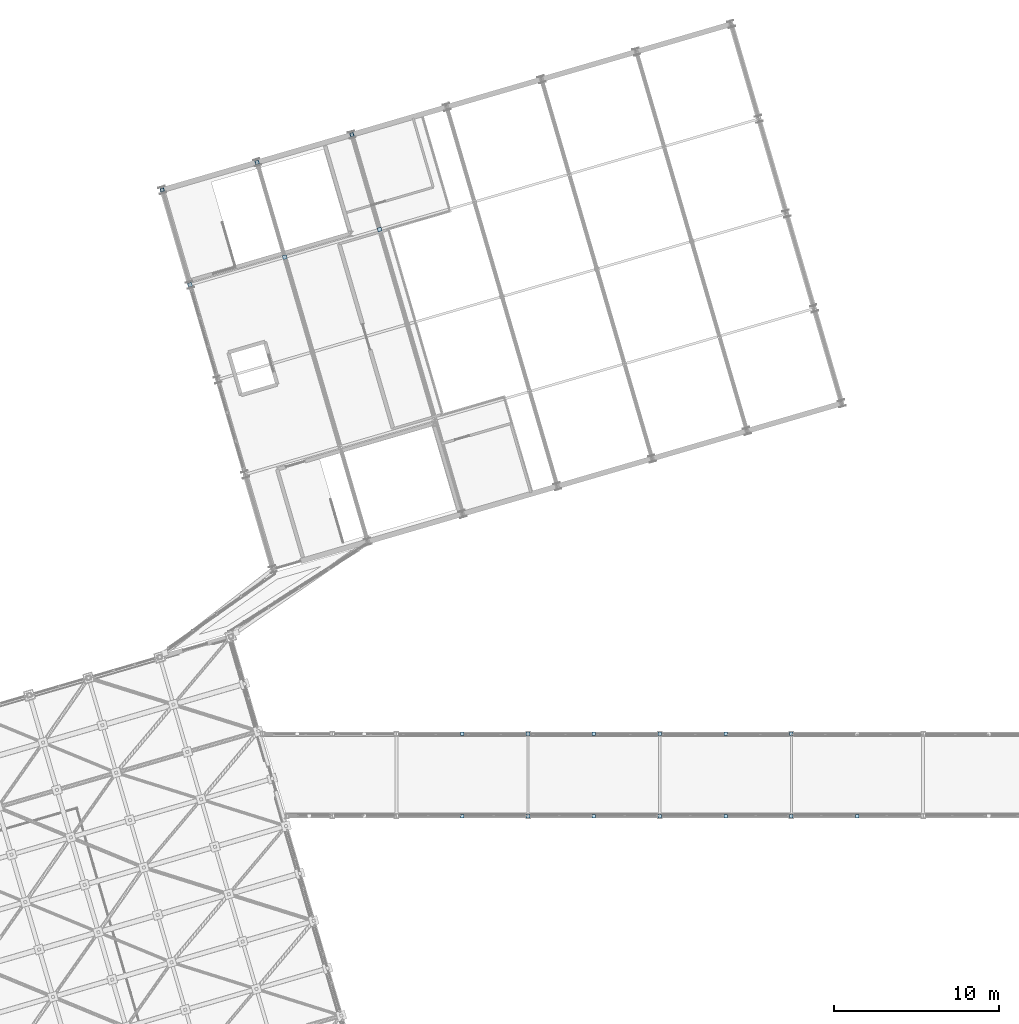
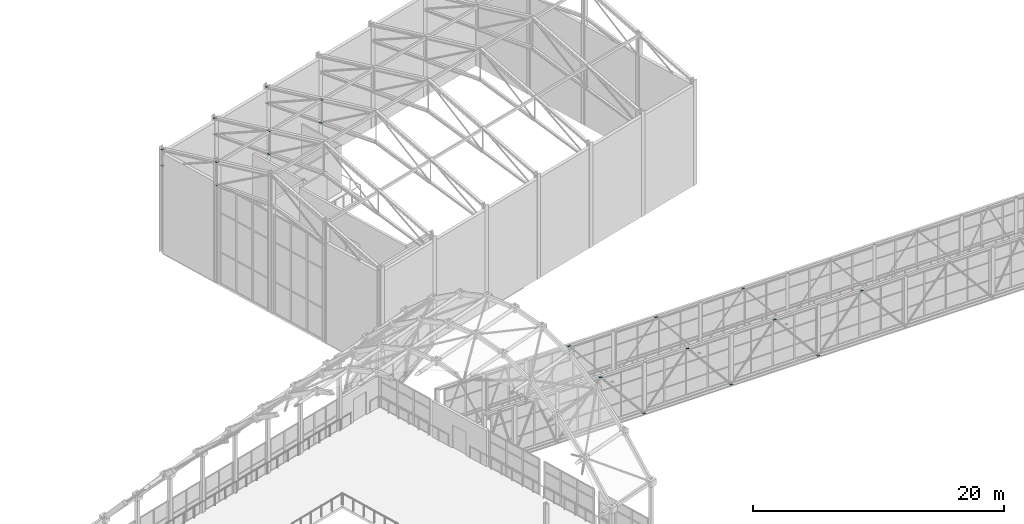
# One storey, part 218 of 248: 25 plates.
"""IFC4 building model written with IfcOpenShell, lengths in metres."""

from ifc_helpers import new_model, si_unit, direction, frame, origin, origin_2d, place, context, subcontext, project, spatial, rectangle, extrude, material, layer, layer_set, type_object, element, save


model = new_model("IFC4")

# Units and contexts
model_context = context("Model", 3, precision=1e-05, world=origin(), true_north=direction((0.0, 1.0)))
body_context = subcontext(model_context, "Body", "Model", "MODEL_VIEW")
ifc_project = project(units=[si_unit("LENGTHUNIT", "METRE"), si_unit("AREAUNIT", "SQUARE_METRE"), si_unit("VOLUMEUNIT", "CUBIC_METRE"), si_unit("PLANEANGLEUNIT", "RADIAN"), si_unit("MASSUNIT", "GRAM", prefix="KILO")], contexts=[model_context])

# Site, building, storey
site_placement = place(None, origin())
site = spatial("IfcSite", under=ifc_project, at=site_placement, CompositionType="ELEMENT")
building_placement = place(site_placement, origin())
building = spatial("IfcBuilding", under=site, at=building_placement, Name="Canggui Botanical Conservatory", CompositionType="ELEMENT")
storey_placement = place(building_placement, frame((0.0, 0.0, 5.39990234375)))
storey = spatial("IfcBuildingStorey", under=building, at=storey_placement, Name="L02", CompositionType="ELEMENT", Elevation=5.39990234375)

# Plates
ifc_material = material(Name="Steel Q355B", Category="steel")
ifc_layer = layer(ifc_material, 0.02001953125, Name="Steel Q355B", Category="steel")
ifc_layer_set = layer_set([ifc_layer], Name="Steel Q355B")
plate_type = type_object("IfcPlateType", Name="PLT-CAP-20", PredefinedType="USERDEFINED", material=ifc_layer_set)
for number, where, z_axis, x_axis, name in (
    (1, (60.9599609375, 107.280029296875, 9.39013671875), (0.0, 0.0, 1.0), (0.960000000041, 0.279999999861, 0.0), "CP-AT-01-WB3-0"),
    (2, (59.280029296875, 113.0400390625, 8.39013671875), (0.0, 0.0, 1.0), (0.960000000041, 0.279999999861, 0.0), "CP-AT-01-WB4-0"),
    (3, (60.9599609375, 107.280029296875, 11.64013671875), (0.0, 0.0, 1.0), (0.960000000041, 0.279999999861, 0.0), "CP-AT-01-WB4-1"),
):
    element("IfcPlate", number, at=place(storey_placement, frame(where, z_axis=z_axis, x_axis=x_axis)), inside=storey, type_object=plate_type, Name=name, ObjectType="END CAP PLATE", PredefinedType="USERDEFINED", context=body_context, shape_type="SweptSolid", body=[
        extrude(rectangle(XDim=0.239990234375, YDim=0.239990234375, at=origin_2d()), origin(), (0.0, 0.0, 1.0), 0.02001953125),
    ])
plate_1_placement = place(storey_placement, frame((59.280029296875, 113.0400390625, 9.940185546875), z_axis=(0.0, 0.0, 1.0), x_axis=(0.960000000041, 0.279999999861, 0.0)))
element("IfcPlate", 4, at=plate_1_placement, inside=storey, type_object=plate_type, Name="CP-AT-01-VT5-1", ObjectType="END CAP PLATE", PredefinedType="USERDEFINED", context=body_context, shape_type="SweptSolid", body=[
    extrude(rectangle(XDim=0.199951171875, YDim=0.199951171875, at=origin_2d()), origin(), (0.0, 0.0, 1.0), 0.02001953125),
])
for number, where, z_axis, x_axis, name in (
    (5, (66.719970703125, 108.9599609375, 9.39013671875), (0.0, 0.0, 1.0), (0.960000000041, 0.279999999861, 0.0), "CP-AT-02-WB3-0"),
    (6, (65.0400390625, 114.719970703125, 8.39013671875), (0.0, 0.0, 1.0), (0.960000000041, 0.279999999861, 0.0), "CP-AT-02-WB4-0"),
    (7, (66.719970703125, 108.9599609375, 11.64013671875), (0.0, 0.0, 1.0), (0.960000000041, 0.279999999861, 0.0), "CP-AT-02-WB4-1"),
):
    element("IfcPlate", number, at=place(storey_placement, frame(where, z_axis=z_axis, x_axis=x_axis)), inside=storey, type_object=plate_type, Name=name, ObjectType="END CAP PLATE", PredefinedType="USERDEFINED", context=body_context, shape_type="SweptSolid", body=[
        extrude(rectangle(XDim=0.239990234375, YDim=0.239990234375, at=origin_2d()), origin(), (0.0, 0.0, 1.0), 0.02001953125),
    ])
plate_2_placement = place(storey_placement, frame((65.0400390625, 114.719970703125, 9.940185546875), z_axis=(0.0, 0.0, 1.0), x_axis=(0.960000000041, 0.279999999861, 0.0)))
element("IfcPlate", 8, at=plate_2_placement, inside=storey, type_object=plate_type, Name="CP-AT-02-VT5-1", ObjectType="END CAP PLATE", PredefinedType="USERDEFINED", context=body_context, shape_type="SweptSolid", body=[
    extrude(rectangle(XDim=0.199951171875, YDim=0.199951171875, at=origin_2d()), origin(), (0.0, 0.0, 1.0), 0.02001953125),
])
for number, where, z_axis, x_axis, name in (
    (9, (72.47998046875, 110.639892578125, 9.39013671875), (0.0, 0.0, 1.0), (0.960000000041, 0.279999999861, 0.0), "CP-AT-03-WB3-0"),
    (10, (70.800048828125, 116.39990234375, 8.39013671875), (0.0, 0.0, 1.0), (0.960000000041, 0.279999999861, 0.0), "CP-AT-03-WB4-0"),
    (11, (72.47998046875, 110.639892578125, 11.64013671875), (0.0, 0.0, 1.0), (0.960000000041, 0.279999999861, 0.0), "CP-AT-03-WB4-1"),
):
    element("IfcPlate", number, at=place(storey_placement, frame(where, z_axis=z_axis, x_axis=x_axis)), inside=storey, type_object=plate_type, Name=name, ObjectType="END CAP PLATE", PredefinedType="USERDEFINED", context=body_context, shape_type="SweptSolid", body=[
        extrude(rectangle(XDim=0.239990234375, YDim=0.239990234375, at=origin_2d()), origin(), (0.0, 0.0, 1.0), 0.02001953125),
    ])
plate_3_placement = place(storey_placement, frame((70.800048828125, 116.39990234375, 9.940185546875), z_axis=(0.0, 0.0, 1.0), x_axis=(0.960000000041, 0.279999999861, 0.0)))
element("IfcPlate", 12, at=plate_3_placement, inside=storey, type_object=plate_type, Name="CP-AT-03-VT5-1", ObjectType="END CAP PLATE", PredefinedType="USERDEFINED", context=body_context, shape_type="SweptSolid", body=[
    extrude(rectangle(XDim=0.199951171875, YDim=0.199951171875, at=origin_2d()), origin(), (0.0, 0.0, 1.0), 0.02001953125),
])
for number, where, z_axis, x_axis, name in (
    (13, (77.5, 75.0, 4.5400390625), (0.0, 0.0, 1.0), (1.0, 0.0, 0.0), "CP-SB-04-WBM-0-3A-1"),
    (14, (81.5, 75.0, -0.35986328125), (0.0, 0.0, 1.0), (1.0, 0.0, 0.0), "CP-SB-04-WBM-0-3B-1"),
    (15, (85.5, 75.0, 4.5400390625), (0.0, 0.0, 1.0), (1.0, 0.0, 0.0), "CP-SB-04-WBM-0-4A-1"),
    (16, (89.5, 75.0, -0.35986328125), (0.0, 0.0, 1.0), (1.0, 0.0, 0.0), "CP-SB-04-WBM-0-4B-1"),
    (17, (93.5, 75.0, 4.5400390625), (0.0, 0.0, 1.0), (1.0, 0.0, 0.0), "CP-SB-04-WBM-0-5A-1"),
    (18, (97.5, 75.0, -0.35986328125), (0.0, 0.0, 1.0), (1.0, 0.0, 0.0), "CP-SB-04-WBM-0-5B-1"),
    (19, (101.5, 75.0, 4.5400390625), (0.0, 0.0, 1.0), (1.0, 0.0, 0.0), "CP-SB-04-WBM-0-6A-1"),
    (20, (77.5, 80.0, 4.5400390625), (0.0, 0.0, 1.0), (1.0, 0.0, 0.0), "CP-SB-04-WBM-1-3A-1"),
    (21, (81.5, 80.0, -0.35986328125), (0.0, 0.0, 1.0), (1.0, 0.0, 0.0), "CP-SB-04-WBM-1-3B-1"),
    (22, (85.5, 80.0, 4.5400390625), (0.0, 0.0, 1.0), (1.0, 0.0, 0.0), "CP-SB-04-WBM-1-4A-1"),
    (23, (89.5, 80.0, -0.35986328125), (0.0, 0.0, 1.0), (1.0, 0.0, 0.0), "CP-SB-04-WBM-1-4B-1"),
    (24, (93.5, 80.0, 4.5400390625), (0.0, 0.0, 1.0), (1.0, 0.0, 0.0), "CP-SB-04-WBM-1-5A-1"),
    (25, (97.5, 80.0, -0.35986328125), (0.0, 0.0, 1.0), (1.0, 0.0, 0.0), "CP-SB-04-WBM-1-5B-1"),
):
    element("IfcPlate", number, at=place(storey_placement, frame(where, z_axis=z_axis, x_axis=x_axis)), inside=storey, type_object=plate_type, Name=name, ObjectType="END CAP PLATE", PredefinedType="USERDEFINED", context=body_context, shape_type="SweptSolid", body=[
        extrude(rectangle(XDim=0.219970703125, YDim=0.219970703125, at=origin_2d()), origin(), (0.0, 0.0, 1.0), 0.02001953125),
    ])

save(model, "model.ifc")
